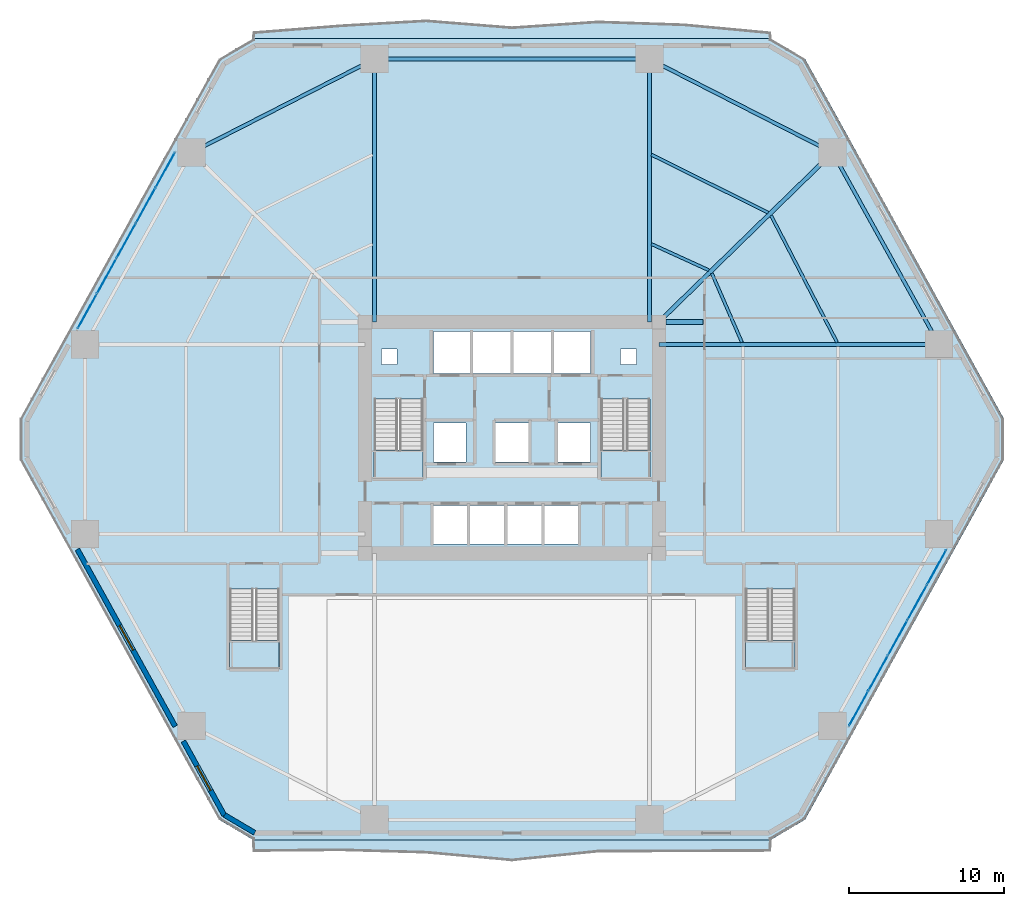
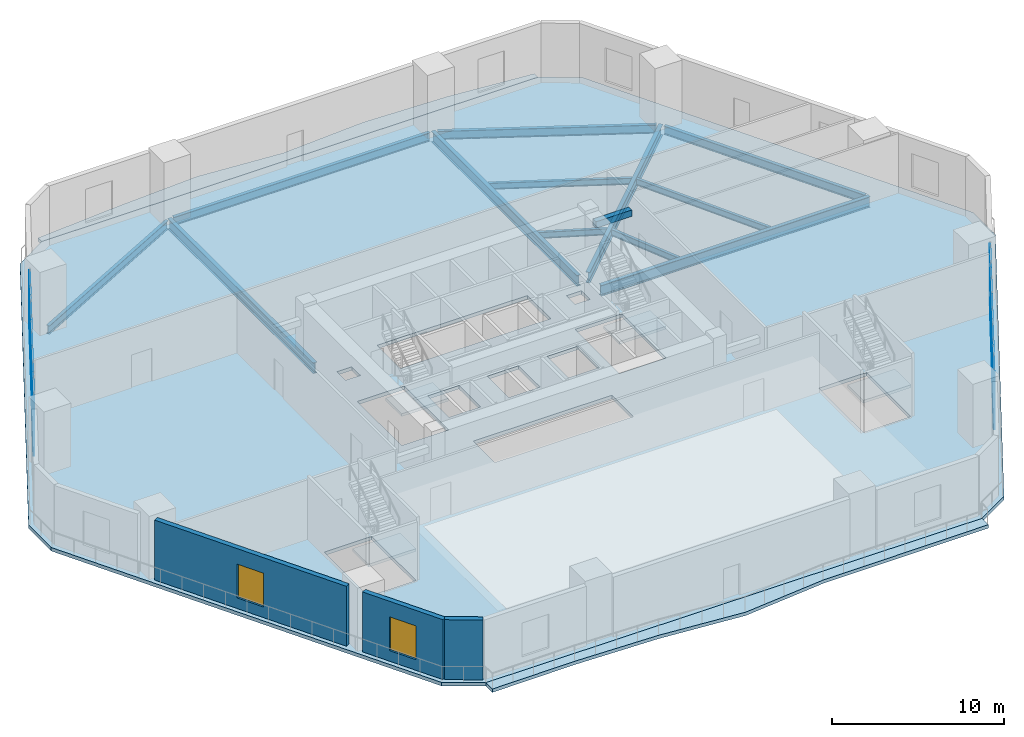
# One storey, part 8 of 18: 20 plates, 13 beams, 7 slabs, 3 walls, 2 windows, 2 openings, 6 elements without a shape of their own.
"""IFC4 building model written with IfcOpenShell, lengths in metres."""

from ifc_helpers import new_model, si_unit, direction, frame, frame_2d, origin, origin_2d, place, context, subcontext, project, spatial, polyline, rectangle, i_section, outline, extrude, material, layer, layer_set, material_profile, profile_set, type_object, element, fill, aggregate, save


model = new_model("IFC4")

# Units and contexts
model_context = context("Model", 3, precision=1e-05, world=origin(), true_north=direction((0.0, 1.0)))
body_context = subcontext(model_context, "Body", "Model", "MODEL_VIEW")
ifc_project = project(units=[si_unit("LENGTHUNIT", "METRE"), si_unit("AREAUNIT", "SQUARE_METRE"), si_unit("VOLUMEUNIT", "CUBIC_METRE"), si_unit("PLANEANGLEUNIT", "RADIAN"), si_unit("MASSUNIT", "GRAM", prefix="KILO")], contexts=[model_context])

# Site, building, storey
site_placement = place(None, origin())
site = spatial("IfcSite", under=ifc_project, at=site_placement, CompositionType="ELEMENT")
building_placement = place(site_placement, origin())
building = spatial("IfcBuilding", under=site, at=building_placement, Name="Cinnabar Lancet Tower", CompositionType="ELEMENT")
storey_placement = place(building_placement, frame((0.0, 0.0, 10.5)))
storey = spatial("IfcBuildingStorey", under=building, at=storey_placement, Name="L02", CompositionType="ELEMENT", Elevation=10.5)

# Beams
ifc_material_1 = material(Name="Structural steel S355", Category="steel")
ifc_material_profile_1 = material_profile(ifc_material_1, i_section(OverallWidth=0.1904296875, OverallDepth=0.45703125, WebThickness=0.009033203125, FlangeThickness=0.014404296875, FilletRadius=0.01025390625, at=origin_2d()), Name="UKB 457x191x74")
ifc_profile_set_1 = profile_set([ifc_material_profile_1], Name="Structural steel S355")
beam_type_1 = type_object("IfcBeamType", Name="STR-BM-JST-457", PredefinedType="JOIST", material=ifc_profile_set_1)
beam_1_placement = place(storey_placement, frame((53.326904296875, 32.041015625, -0.47900390625), z_axis=(-0.461626641841, 0.887074316809, 0.0), x_axis=(-0.887074316809, -0.461626641841, 0.0)))
element("IfcBeam", 1, at=beam_1_placement, inside=storey, type_object=beam_type_1, Name="L02 Secondary Floor Joist 3", PredefinedType="JOIST", context=body_context, shape_type="SweptSolid", body=[
    extrude(i_section(OverallWidth=0.1904296875, OverallDepth=0.45703125, WebThickness=0.009033203125, FlangeThickness=0.014404296875, FilletRadius=0.01025390625, at=origin_2d()), origin(), (0.0, 0.0, 1.0), 9.204345703125),
])
beam_2_placement = place(storey_placement, frame((47.2041015625, 32.041015625, -0.47900390625), z_axis=(-0.399496554125, 0.916734696214, 0.0), x_axis=(-0.916734696214, -0.399496554125, 0.0)))
element("IfcBeam", 2, at=beam_2_placement, inside=storey, type_object=beam_type_1, Name="L02 Secondary Floor Joist 4", PredefinedType="JOIST", context=body_context, shape_type="SweptSolid", body=[
    extrude(i_section(OverallWidth=0.1904296875, OverallDepth=0.45703125, WebThickness=0.009033203125, FlangeThickness=0.014404296875, FilletRadius=0.01025390625, at=origin_2d()), origin(), (0.0, 0.0, 1.0), 4.854248046875),
])
beam_3_placement = place(storey_placement, frame((48.886962890625, 40.39306640625, -0.47900390625), z_axis=(-0.895687488764, 0.444684070404, 0.0), x_axis=(-0.444684070404, -0.895687488764, 0.0)))
element("IfcBeam", 3, at=beam_3_placement, inside=storey, type_object=beam_type_1, Name="L02 Secondary Floor Joist 5", PredefinedType="JOIST", context=body_context, shape_type="SweptSolid", body=[
    extrude(i_section(OverallWidth=0.1904296875, OverallDepth=0.45703125, WebThickness=0.009033203125, FlangeThickness=0.014404296875, FilletRadius=0.01025390625, at=origin_2d()), origin(), (0.0, 0.0, 1.0), 8.383544921875),
])
beam_4_placement = place(storey_placement, frame((45.077880859375, 36.680908203125, -0.47900390625), z_axis=(-0.909792004986, 0.415064462057, 0.0), x_axis=(-0.415064462057, -0.909792004986, 0.0)))
element("IfcBeam", 4, at=beam_4_placement, inside=storey, type_object=beam_type_1, Name="L02 Secondary Floor Joist 6", PredefinedType="JOIST", context=body_context, shape_type="SweptSolid", body=[
    extrude(i_section(OverallWidth=0.1904296875, OverallDepth=0.45703125, WebThickness=0.009033203125, FlangeThickness=0.014404296875, FilletRadius=0.01025390625, at=origin_2d()), origin(), (0.0, 0.0, 1.0), 4.06689453125),
])
ifc_material_2 = material(Name="Concrete C45/55", Category="concrete")
ifc_material_profile_2 = material_profile(ifc_material_2, rectangle(XDim=0.35009765625, YDim=0.449951171875, at=origin_2d()), Name="RC-LNT 350x450")
ifc_profile_set_2 = profile_set([ifc_material_profile_2], Name="Concrete C45/55")
beam_type_2 = type_object("IfcBeamType", Name="STR-BM-LNT-450", PredefinedType="LINTEL", material=ifc_profile_set_2)
beam_5_placement = place(storey_placement, frame((42.300048828125, 33.35009765625, 3.050048828125), z_axis=(1.0, 0.0, 0.0), x_axis=(0.0, 1.0, 0.0)))
element("IfcBeam", 5, at=beam_5_placement, inside=storey, type_object=beam_type_2, Name="L02 Podium Gallery Arch Lintel NE", PredefinedType="LINTEL", context=body_context, shape_type="SweptSolid", body=[
    extrude(rectangle(XDim=0.35009765625, YDim=0.449951171875, at=origin_2d()), origin(), (0.0, 0.0, 1.0), 2.39990234375),
])
ifc_material_3 = material(Name="Structural steel S355", Category="steel")
ifc_material_profile_3 = material_profile(ifc_material_3, i_section(OverallWidth=0.228271484375, OverallDepth=0.607666015625, WebThickness=0.010986328125, FlangeThickness=0.017333984375, FilletRadius=0.0126953125, at=origin_2d()), Name="UKB 610x229x113")
ifc_profile_set_3 = profile_set([ifc_material_profile_3], Name="Structural steel S355")
beam_type_3 = type_object("IfcBeamType", Name="STR-BM-SPN-610", PredefinedType="SPANDREL", material=ifc_profile_set_3)
beam_6_placement = place(storey_placement, frame((59.77001953125, 32.126953125, -0.553955078125), z_axis=(-0.485037056876, 0.874493598294, 0.0), x_axis=(-0.874493598294, -0.485037056876, 0.0)))
element("IfcBeam", 6, at=beam_6_placement, inside=storey, type_object=beam_type_3, Name="L02 Perimeter Spandrel 5", PredefinedType="SPANDREL", context=body_context, shape_type="SweptSolid", body=[
    extrude(i_section(OverallWidth=0.228271484375, OverallDepth=0.607666015625, WebThickness=0.010986328125, FlangeThickness=0.017333984375, FilletRadius=0.0126953125, at=origin_2d()), origin(), (0.0, 0.0, 1.0), 13.619384765625),
])
beam_7_placement = place(storey_placement, frame((52.820068359375, 44.3701171875, -0.553955078125), z_axis=(-0.890540557794, 0.454903852396, 0.0), x_axis=(-0.454903852396, -0.890540557794, 0.0)))
element("IfcBeam", 7, at=beam_7_placement, inside=storey, type_object=beam_type_3, Name="L02 Perimeter Spandrel 6", PredefinedType="SPANDREL", context=body_context, shape_type="SweptSolid", body=[
    extrude(i_section(OverallWidth=0.228271484375, OverallDepth=0.607666015625, WebThickness=0.010986328125, FlangeThickness=0.017333984375, FilletRadius=0.0126953125, at=origin_2d()), origin(), (0.0, 0.0, 1.0), 12.747314453125),
])
beam_8_placement = place(storey_placement, frame((40.9951171875, 50.282958984375, -0.553955078125), z_axis=(-1.0, 0.0, 0.0), x_axis=(0.0, -1.0, 0.0)))
element("IfcBeam", 8, at=beam_8_placement, inside=storey, type_object=beam_type_3, Name="L02 Perimeter Spandrel 7", PredefinedType="SPANDREL", context=body_context, shape_type="SweptSolid", body=[
    extrude(i_section(OverallWidth=0.228271484375, OverallDepth=0.607666015625, WebThickness=0.010986328125, FlangeThickness=0.017333984375, FilletRadius=0.0126953125, at=origin_2d()), origin(), (0.0, 0.0, 1.0), 17.190185546875),
])
beam_9_placement = place(storey_placement, frame((23.33203125, 50.1689453125, -0.553955078125), z_axis=(-0.890540557794, -0.454903852396, 0.0), x_axis=(0.454903852396, -0.890540557794, 0.0)))
element("IfcBeam", 9, at=beam_9_placement, inside=storey, type_object=beam_type_3, Name="L02 Perimeter Spandrel 8", PredefinedType="SPANDREL", context=body_context, shape_type="SweptSolid", body=[
    extrude(i_section(OverallWidth=0.228271484375, OverallDepth=0.607666015625, WebThickness=0.010986328125, FlangeThickness=0.017333984375, FilletRadius=0.0126953125, at=origin_2d()), origin(), (0.0, 0.0, 1.0), 12.747314453125),
])
ifc_material_4 = material(Name="Structural steel S355", Category="steel")
ifc_material_profile_4 = material_profile(ifc_material_4, i_section(OverallWidth=0.2666015625, OverallDepth=0.76220703125, WebThickness=0.014404296875, FlangeThickness=0.021484375, FilletRadius=0.0166015625, at=origin_2d()), Name="UKB 762x267x173")
ifc_profile_set_4 = profile_set([ifc_material_profile_4], Name="Structural steel S355")
beam_type_4 = type_object("IfcBeamType", Name="STR-BM-UKB762-173", PredefinedType="BEAM", material=ifc_profile_set_4)
beam_10_placement = place(storey_placement, frame((53.04296875, 44.256103515625, -0.631103515625), z_axis=(-0.716225383515, -0.697869042163, 0.0), x_axis=(0.697869042163, -0.716225383515, 0.0)))
element("IfcBeam", 10, at=beam_10_placement, inside=storey, type_object=beam_type_4, Name="L02 Corner Collector Girder 3", PredefinedType="BEAM", context=body_context, shape_type="SweptSolid", body=[
    extrude(i_section(OverallWidth=0.2666015625, OverallDepth=0.76220703125, WebThickness=0.014404296875, FlangeThickness=0.021484375, FilletRadius=0.0166015625, at=origin_2d()), origin(), (0.0, 0.0, 1.0), 15.627685546875),
])
beam_11_placement = place(storey_placement, frame((59.89111328125, 31.907958984375, -0.631103515625), z_axis=(-1.0, 0.0, 0.0), x_axis=(0.0, -1.0, 0.0)))
element("IfcBeam", 11, at=beam_11_placement, inside=storey, type_object=beam_type_4, Name="L02 Primary Floor Girder 5", PredefinedType="BEAM", context=body_context, shape_type="SweptSolid", body=[
    extrude(i_section(OverallWidth=0.2666015625, OverallDepth=0.76220703125, WebThickness=0.014404296875, FlangeThickness=0.021484375, FilletRadius=0.0166015625, at=origin_2d()), origin(), (0.0, 0.0, 1.0), 18.041015625),
])
for number, where, z_axis, x_axis, name in (
    (12, (41.2451171875, 50.282958984375, -0.631103515625), (0.0, -1.0, 0.0), (1.0, 0.0, 0.0), "L02 Primary Floor Girder 7"),
    (13, (23.554931640625, 50.282958984375, -0.631103515625), (0.0, -1.0, 0.0), (1.0, 0.0, 0.0), "L02 Primary Floor Girder 8"),
):
    element("IfcBeam", number, at=place(storey_placement, frame(where, z_axis=z_axis, x_axis=x_axis)), inside=storey, type_object=beam_type_4, Name=name, PredefinedType="BEAM", context=body_context, shape_type="SweptSolid", body=[
        extrude(i_section(OverallWidth=0.2666015625, OverallDepth=0.76220703125, WebThickness=0.014404296875, FlangeThickness=0.021484375, FilletRadius=0.0166015625, at=origin_2d()), origin(), (0.0, 0.0, 1.0), 16.932861328125),
    ])

# Curtain wall, plates
ifc_material_5 = material(Name="Thermally broken bronze-anodized aluminium and low-E glass", Category="aluminium")
ifc_layer_1 = layer(ifc_material_5, 0.179931640625)
ifc_layer_set_1 = layer_set([ifc_layer_1], Name="Thermally broken bronze-anodized aluminium and low-E glass")
curtain_wall_type = type_object("IfcCurtainWallType", Name="ENV-CW-SYS-02", PredefinedType="NOTDEFINED", material=ifc_layer_set_1)
curtain_wall_1_placement = place(storey_placement, origin())
curtain_wall_1 = element("IfcCurtainWall", 14, at=curtain_wall_1_placement, inside=storey, type_object=curtain_wall_type, Name="L02 Face 2 Feature Curtain Wall", PredefinedType="NOTDEFINED")
ifc_material_6 = material(Name="Double-silver low-E laminated insulated glass unit", Category="glass")
ifc_layer_2 = layer(ifc_material_6, 0.031982421875)
ifc_layer_set_2 = layer_set([ifc_layer_2], Name="Double-silver low-E laminated insulated glass unit")
plate_type = type_object("IfcPlateType", Name="ENV-CW-PNL-32", PredefinedType="CURTAIN_PANEL", material=ifc_layer_set_2)
plate_1_placement = place(storey_placement, frame((54.72265625, 8.47216796875, 0.06005859375), z_axis=(0.0, 0.0, 1.0), x_axis=(0.48368456273, 0.875242391442, 0.0)))
plate_1 = element("IfcPlate", 15, at=plate_1_placement, type_object=plate_type, Name="CW-02 panel 1.1", PredefinedType="CURTAIN_PANEL", context=body_context, shape_type="SweptSolid", body=[
    extrude(rectangle(XDim=2.512939453125, YDim=0.028076171875, at=origin_2d()), origin(), (0.0, 0.0, 1.0), 2.1201171875),
])
plate_2_placement = place(storey_placement, frame((54.72265625, 8.47216796875, 2.240234375), z_axis=(0.0, 0.0, 1.0), x_axis=(0.48368456273, 0.875242391442, 0.0)))
plate_2 = element("IfcPlate", 16, at=plate_2_placement, type_object=plate_type, Name="CW-02 panel 1.2", PredefinedType="CURTAIN_PANEL", context=body_context, shape_type="SweptSolid", body=[
    extrude(rectangle(XDim=2.512939453125, YDim=0.028076171875, at=origin_2d()), origin(), (0.0, 0.0, 1.0), 1.949951171875),
])
plate_3_placement = place(storey_placement, frame((55.974609375, 10.7373046875, 0.06005859375), z_axis=(0.0, 0.0, 1.0), x_axis=(0.48368456273, 0.875242391442, 0.0)))
plate_3 = element("IfcPlate", 17, at=plate_3_placement, type_object=plate_type, Name="CW-02 panel 2.1", PredefinedType="CURTAIN_PANEL", context=body_context, shape_type="SweptSolid", body=[
    extrude(rectangle(XDim=2.54296875, YDim=0.028076171875, at=origin_2d()), origin(), (0.0, 0.0, 1.0), 2.1201171875),
])
plate_4_placement = place(storey_placement, frame((55.974609375, 10.7373046875, 2.240234375), z_axis=(0.0, 0.0, 1.0), x_axis=(0.48368456273, 0.875242391442, 0.0)))
plate_4 = element("IfcPlate", 18, at=plate_4_placement, type_object=plate_type, Name="CW-02 panel 2.2", PredefinedType="CURTAIN_PANEL", context=body_context, shape_type="SweptSolid", body=[
    extrude(rectangle(XDim=2.54296875, YDim=0.028076171875, at=origin_2d()), origin(), (0.0, 0.0, 1.0), 1.949951171875),
])
plate_5_placement = place(storey_placement, frame((57.2333984375, 13.015380859375, 0.06005859375), z_axis=(0.0, 0.0, 1.0), x_axis=(0.48368456273, 0.875242391442, 0.0)))
plate_5 = element("IfcPlate", 19, at=plate_5_placement, type_object=plate_type, Name="CW-02 panel 3.1", PredefinedType="CURTAIN_PANEL", context=body_context, shape_type="SweptSolid", body=[
    extrude(rectangle(XDim=2.54296875, YDim=0.028076171875, at=origin_2d()), origin(), (0.0, 0.0, 1.0), 2.1201171875),
])
plate_6_placement = place(storey_placement, frame((57.2333984375, 13.015380859375, 2.240234375), z_axis=(0.0, 0.0, 1.0), x_axis=(0.48368456273, 0.875242391442, 0.0)))
plate_6 = element("IfcPlate", 20, at=plate_6_placement, type_object=plate_type, Name="CW-02 panel 3.2", PredefinedType="CURTAIN_PANEL", context=body_context, shape_type="SweptSolid", body=[
    extrude(rectangle(XDim=2.54296875, YDim=0.028076171875, at=origin_2d()), origin(), (0.0, 0.0, 1.0), 1.949951171875),
])
plate_7_placement = place(storey_placement, frame((58.492431640625, 15.293701171875, 0.06005859375), z_axis=(0.0, 0.0, 1.0), x_axis=(0.48368456273, 0.875242391442, 0.0)))
plate_7 = element("IfcPlate", 21, at=plate_7_placement, type_object=plate_type, Name="CW-02 panel 4.1", PredefinedType="CURTAIN_PANEL", context=body_context, shape_type="SweptSolid", body=[
    extrude(rectangle(XDim=2.54296875, YDim=0.028076171875, at=origin_2d()), origin(), (0.0, 0.0, 1.0), 2.1201171875),
])
plate_8_placement = place(storey_placement, frame((58.492431640625, 15.293701171875, 2.240234375), z_axis=(0.0, 0.0, 1.0), x_axis=(0.48368456273, 0.875242391442, 0.0)))
plate_8 = element("IfcPlate", 22, at=plate_8_placement, type_object=plate_type, Name="CW-02 panel 4.2", PredefinedType="CURTAIN_PANEL", context=body_context, shape_type="SweptSolid", body=[
    extrude(rectangle(XDim=2.54296875, YDim=0.028076171875, at=origin_2d()), origin(), (0.0, 0.0, 1.0), 1.949951171875),
])
plate_9_placement = place(storey_placement, frame((59.744140625, 17.558837890625, 0.06005859375), z_axis=(0.0, 0.0, 1.0), x_axis=(0.48368456273, 0.875242391442, 0.0)))
plate_9 = element("IfcPlate", 23, at=plate_9_placement, type_object=plate_type, Name="CW-02 panel 5.1", PredefinedType="CURTAIN_PANEL", context=body_context, shape_type="SweptSolid", body=[
    extrude(rectangle(XDim=2.512939453125, YDim=0.028076171875, at=origin_2d()), origin(), (0.0, 0.0, 1.0), 2.1201171875),
])
plate_10_placement = place(storey_placement, frame((59.744140625, 17.558837890625, 2.240234375), z_axis=(0.0, 0.0, 1.0), x_axis=(0.48368456273, 0.875242391442, 0.0)))
plate_10 = element("IfcPlate", 24, at=plate_10_placement, type_object=plate_type, Name="CW-02 panel 5.2", PredefinedType="CURTAIN_PANEL", context=body_context, shape_type="SweptSolid", body=[
    extrude(rectangle(XDim=2.512939453125, YDim=0.028076171875, at=origin_2d()), origin(), (0.0, 0.0, 1.0), 1.949951171875),
])
aggregate(curtain_wall_1, [plate_1, plate_2, plate_3, plate_4, plate_5, plate_6, plate_7, plate_8, plate_9, plate_10])

curtain_wall_2_placement = place(storey_placement, origin())
curtain_wall_2 = element("IfcCurtainWall", 25, at=curtain_wall_2_placement, inside=storey, type_object=curtain_wall_type, Name="L02 Face 5 Feature Curtain Wall", PredefinedType="NOTDEFINED")
plate_11_placement = place(storey_placement, frame((10.0771484375, 43.127685546875, 0.06005859375), z_axis=(0.0, 0.0, 1.0), x_axis=(-0.48368456273, -0.875242391442, 0.0)))
plate_11 = element("IfcPlate", 26, at=plate_11_placement, type_object=plate_type, Name="CW-02 panel 1.1", PredefinedType="CURTAIN_PANEL", context=body_context, shape_type="SweptSolid", body=[
    extrude(rectangle(XDim=2.512939453125, YDim=0.028076171875, at=origin_2d()), origin(), (0.0, 0.0, 1.0), 2.1201171875),
])
plate_12_placement = place(storey_placement, frame((10.0771484375, 43.127685546875, 2.240234375), z_axis=(0.0, 0.0, 1.0), x_axis=(-0.48368456273, -0.875242391442, 0.0)))
plate_12 = element("IfcPlate", 27, at=plate_12_placement, type_object=plate_type, Name="CW-02 panel 1.2", PredefinedType="CURTAIN_PANEL", context=body_context, shape_type="SweptSolid", body=[
    extrude(rectangle(XDim=2.512939453125, YDim=0.028076171875, at=origin_2d()), origin(), (0.0, 0.0, 1.0), 1.949951171875),
])
plate_13_placement = place(storey_placement, frame((8.825439453125, 40.86279296875, 0.06005859375), z_axis=(0.0, 0.0, 1.0), x_axis=(-0.48368456273, -0.875242391442, 0.0)))
plate_13 = element("IfcPlate", 28, at=plate_13_placement, type_object=plate_type, Name="CW-02 panel 2.1", PredefinedType="CURTAIN_PANEL", context=body_context, shape_type="SweptSolid", body=[
    extrude(rectangle(XDim=2.54296875, YDim=0.028076171875, at=origin_2d()), origin(), (0.0, 0.0, 1.0), 2.1201171875),
])
plate_14_placement = place(storey_placement, frame((8.825439453125, 40.86279296875, 2.240234375), z_axis=(0.0, 0.0, 1.0), x_axis=(-0.48368456273, -0.875242391442, 0.0)))
plate_14 = element("IfcPlate", 29, at=plate_14_placement, type_object=plate_type, Name="CW-02 panel 2.2", PredefinedType="CURTAIN_PANEL", context=body_context, shape_type="SweptSolid", body=[
    extrude(rectangle(XDim=2.54296875, YDim=0.028076171875, at=origin_2d()), origin(), (0.0, 0.0, 1.0), 1.949951171875),
])
plate_15_placement = place(storey_placement, frame((7.56640625, 38.58447265625, 0.06005859375), z_axis=(0.0, 0.0, 1.0), x_axis=(-0.48368456273, -0.875242391442, 0.0)))
plate_15 = element("IfcPlate", 30, at=plate_15_placement, type_object=plate_type, Name="CW-02 panel 3.1", PredefinedType="CURTAIN_PANEL", context=body_context, shape_type="SweptSolid", body=[
    extrude(rectangle(XDim=2.54296875, YDim=0.028076171875, at=origin_2d()), origin(), (0.0, 0.0, 1.0), 2.1201171875),
])
plate_16_placement = place(storey_placement, frame((7.56640625, 38.58447265625, 2.240234375), z_axis=(0.0, 0.0, 1.0), x_axis=(-0.48368456273, -0.875242391442, 0.0)))
plate_16 = element("IfcPlate", 31, at=plate_16_placement, type_object=plate_type, Name="CW-02 panel 3.2", PredefinedType="CURTAIN_PANEL", context=body_context, shape_type="SweptSolid", body=[
    extrude(rectangle(XDim=2.54296875, YDim=0.028076171875, at=origin_2d()), origin(), (0.0, 0.0, 1.0), 1.949951171875),
])
plate_17_placement = place(storey_placement, frame((6.3076171875, 36.306396484375, 0.06005859375), z_axis=(0.0, 0.0, 1.0), x_axis=(-0.48368456273, -0.875242391442, 0.0)))
plate_17 = element("IfcPlate", 32, at=plate_17_placement, type_object=plate_type, Name="CW-02 panel 4.1", PredefinedType="CURTAIN_PANEL", context=body_context, shape_type="SweptSolid", body=[
    extrude(rectangle(XDim=2.54296875, YDim=0.028076171875, at=origin_2d()), origin(), (0.0, 0.0, 1.0), 2.1201171875),
])
plate_18_placement = place(storey_placement, frame((6.3076171875, 36.306396484375, 2.240234375), z_axis=(0.0, 0.0, 1.0), x_axis=(-0.48368456273, -0.875242391442, 0.0)))
plate_18 = element("IfcPlate", 33, at=plate_18_placement, type_object=plate_type, Name="CW-02 panel 4.2", PredefinedType="CURTAIN_PANEL", context=body_context, shape_type="SweptSolid", body=[
    extrude(rectangle(XDim=2.54296875, YDim=0.028076171875, at=origin_2d()), origin(), (0.0, 0.0, 1.0), 1.949951171875),
])
plate_19_placement = place(storey_placement, frame((5.0556640625, 34.041259765625, 0.06005859375), z_axis=(0.0, 0.0, 1.0), x_axis=(-0.48368456273, -0.875242391442, 0.0)))
plate_19 = element("IfcPlate", 34, at=plate_19_placement, type_object=plate_type, Name="CW-02 panel 5.1", PredefinedType="CURTAIN_PANEL", context=body_context, shape_type="SweptSolid", body=[
    extrude(rectangle(XDim=2.512939453125, YDim=0.028076171875, at=origin_2d()), origin(), (0.0, 0.0, 1.0), 2.1201171875),
])
plate_20_placement = place(storey_placement, frame((5.0556640625, 34.041259765625, 2.240234375), z_axis=(0.0, 0.0, 1.0), x_axis=(-0.48368456273, -0.875242391442, 0.0)))
plate_20 = element("IfcPlate", 35, at=plate_20_placement, type_object=plate_type, Name="CW-02 panel 5.2", PredefinedType="CURTAIN_PANEL", context=body_context, shape_type="SweptSolid", body=[
    extrude(rectangle(XDim=2.512939453125, YDim=0.028076171875, at=origin_2d()), origin(), (0.0, 0.0, 1.0), 1.949951171875),
])
aggregate(curtain_wall_2, [plate_11, plate_12, plate_13, plate_14, plate_15, plate_16, plate_17, plate_18, plate_19, plate_20])

# Stair, slab
ifc_material_7 = material(Name="Concrete C40/50", Category="concrete")
stair_type_1 = type_object("IfcStairType", Name="ST-CORE", PredefinedType="HALF_TURN_STAIR", material=ifc_material_7)
stair_1_placement = place(storey_placement, origin())
stair_1 = element("IfcStair", 36, at=stair_1_placement, inside=storey, type_object=stair_type_1, Name="L02 ST-1", PredefinedType="HALF_TURN_STAIR")
ifc_material_8 = material(Name="Concrete C40/50", Category="concrete")
ifc_layer_3 = layer(ifc_material_8, 0.199951171875)
ifc_layer_set_3 = layer_set([ifc_layer_3], Name="Concrete C40/50")
slab_type_1 = type_object("IfcSlabType", Name="LANDING-CORE", PredefinedType="LANDING", material=ifc_layer_set_3)
slab_1_placement = place(storey_placement, frame((0.0, 0.0, 2.050048828125)))
slab_1 = element("IfcSlab", 37, at=slab_1_placement, type_object=slab_type_1, Name="ST-1 landing 1", PredefinedType="LANDING", context=body_context, shape_type="SweptSolid", body=[
    extrude(outline(polyline([(23.52490234375, 25.10009765625), (23.52490234375, 23.25), (26.675048828125, 23.25), (26.675048828125, 25.10009765625), (23.52490234375, 25.10009765625)])), origin(), (0.0, 0.0, 1.0), 0.199951171875),
])
aggregate(stair_1, [slab_1])

stair_2_placement = place(storey_placement, origin())
stair_2 = element("IfcStair", 38, at=stair_2_placement, inside=storey, type_object=stair_type_1, Name="L02 ST-2", PredefinedType="HALF_TURN_STAIR")
slab_2_placement = place(storey_placement, frame((0.0, 0.0, 2.050048828125)))
slab_2 = element("IfcSlab", 39, at=slab_2_placement, type_object=slab_type_1, Name="ST-2 landing 1", PredefinedType="LANDING", context=body_context, shape_type="SweptSolid", body=[
    extrude(outline(polyline([(38.125, 25.10009765625), (38.125, 23.25), (41.27490234375, 23.25), (41.27490234375, 25.10009765625), (38.125, 25.10009765625)])), origin(), (0.0, 0.0, 1.0), 0.199951171875),
])
aggregate(stair_2, [slab_2])

ifc_material_9 = material(Name="Concrete C40/50", Category="concrete")
stair_type_2 = type_object("IfcStairType", Name="ST-POD", PredefinedType="HALF_TURN_STAIR", material=ifc_material_9)
stair_3_placement = place(storey_placement, origin())
stair_3 = element("IfcStair", 40, at=stair_3_placement, inside=storey, type_object=stair_type_2, Name="L02 ST-3", PredefinedType="HALF_TURN_STAIR")
ifc_material_10 = material(Name="Concrete C40/50", Category="concrete")
ifc_layer_4 = layer(ifc_material_10, 0.2099609375)
ifc_layer_set_4 = layer_set([ifc_layer_4], Name="Concrete C40/50")
slab_type_2 = type_object("IfcSlabType", Name="LANDING-POD", PredefinedType="LANDING", material=ifc_layer_set_4)
slab_3_placement = place(storey_placement, frame((0.0, 0.0, 2.050048828125)))
slab_3 = element("IfcSlab", 41, at=slab_3_placement, type_object=slab_type_2, Name="ST-3 landing 1", PredefinedType="LANDING", context=body_context, shape_type="SweptSolid", body=[
    extrude(outline(polyline([(14.22509765625, 12.85009765625), (14.22509765625, 11.0), (17.4150390625, 11.0), (17.4150390625, 12.85009765625), (14.22509765625, 12.85009765625)])), origin(), (0.0, 0.0, 1.0), 0.199951171875),
])
aggregate(stair_3, [slab_3])

stair_4_placement = place(storey_placement, origin())
stair_4 = element("IfcStair", 42, at=stair_4_placement, inside=storey, type_object=stair_type_2, Name="L02 ST-4", PredefinedType="HALF_TURN_STAIR")
slab_4_placement = place(storey_placement, frame((0.0, 0.0, 2.050048828125)))
slab_4 = element("IfcSlab", 43, at=slab_4_placement, type_object=slab_type_2, Name="ST-4 landing 1", PredefinedType="LANDING", context=body_context, shape_type="SweptSolid", body=[
    extrude(outline(polyline([(47.425048828125, 12.85009765625), (47.425048828125, 11.0), (50.614990234375, 11.0), (50.614990234375, 12.85009765625), (47.425048828125, 12.85009765625)])), origin(), (0.0, 0.0, 1.0), 0.199951171875),
])
aggregate(stair_4, [slab_4])

# Slabs
ifc_material_11 = material(Name="Concrete C40/50", Category="concrete")
ifc_layer_5 = layer(ifc_material_11, 0.25)
ifc_layer_set_5 = layer_set([ifc_layer_5], Name="Concrete C40/50")
slab_type_3 = type_object("IfcSlabType", Name="STR-SLB-FLR-250", PredefinedType="FLOOR", material=ifc_layer_set_5)
slab_5_placement = place(storey_placement, frame((0.0, 0.0, -0.25)))
element("IfcSlab", 44, at=slab_5_placement, inside=storey, type_object=slab_type_3, Name="L02 Structural Floor Slab", PredefinedType="FLOOR", context=body_context, shape_type="SweptSolid", body=[
    extrude(outline(polyline([(13.531005859375, 1.31298828125), (15.756103515625, 0.0), (49.0439453125, 0.0), (51.26904296875, 1.31298828125), (64.074951171875, 24.487060546875), (64.074951171875, 27.113037109375), (51.26904296875, 50.287109375), (49.0439453125, 51.60009765625), (15.756103515625, 51.60009765625), (13.531005859375, 50.287109375), (0.72509765625, 27.113037109375), (0.72509765625, 24.487060546875), (13.531005859375, 1.31298828125)]), holes=[polyline([(23.52490234375, 23.25), (26.675048828125, 23.25), (26.675048828125, 28.3994140625), (23.52490234375, 28.3994140625), (23.52490234375, 23.25)]), polyline([(38.125, 23.25), (41.27490234375, 23.25), (41.27490234375, 28.3994140625), (38.125, 28.3994140625), (38.125, 23.25)]), polyline([(14.22509765625, 11.0), (17.4150390625, 11.0), (17.4150390625, 16.1494140625), (14.22509765625, 16.1494140625), (14.22509765625, 11.0)]), polyline([(47.425048828125, 11.0), (50.614990234375, 11.0), (50.614990234375, 16.1494140625), (47.425048828125, 16.1494140625), (47.425048828125, 11.0)]), polyline([(27.35009765625, 30.050048828125), (37.449951171875, 30.050048828125), (37.449951171875, 32.75), (27.35009765625, 32.75), (27.35009765625, 30.050048828125)]), polyline([(27.35009765625, 19.050048828125), (36.64990234375, 19.050048828125), (36.64990234375, 21.550048828125), (27.35009765625, 21.550048828125), (27.35009765625, 19.050048828125)]), polyline([(27.35009765625, 24.35009765625), (29.449951171875, 24.35009765625), (29.449951171875, 26.85009765625), (27.35009765625, 26.85009765625), (27.35009765625, 24.35009765625)]), polyline([(35.35009765625, 24.35009765625), (37.449951171875, 24.35009765625), (37.449951171875, 26.85009765625), (35.35009765625, 26.85009765625), (35.35009765625, 24.35009765625)]), polyline([(31.35009765625, 24.35009765625), (33.449951171875, 24.35009765625), (33.449951171875, 26.85009765625), (31.35009765625, 26.85009765625), (31.35009765625, 24.35009765625)]), polyline([(24.0, 30.60009765625), (25.0, 30.60009765625), (25.0, 31.60009765625), (24.0, 31.60009765625), (24.0, 30.60009765625)]), polyline([(39.39990234375, 30.60009765625), (40.39990234375, 30.60009765625), (40.39990234375, 31.60009765625), (39.39990234375, 31.60009765625), (39.39990234375, 30.60009765625)])]), origin(), (0.0, 0.0, 1.0), 0.25),
])
ifc_material_12 = material(Name="Concrete C45/55", Category="concrete")
ifc_layer_6 = layer(ifc_material_12, 0.239990234375)
ifc_layer_set_6 = layer_set([ifc_layer_6], Name="Concrete C45/55")
slab_type_4 = type_object("IfcSlabType", Name="STR-SLB-WAV-240", PredefinedType="FLOOR", material=ifc_layer_set_6)
slab_6_placement = place(storey_placement, frame((0.0, 0.0, -0.239990234375)))
element("IfcSlab", 45, at=slab_6_placement, inside=storey, type_object=slab_type_4, Name="L02 Face 1 Undulating Wave Balcony Slab", PredefinedType="FLOOR", context=body_context, shape_type="SweptSolid", body=[
    extrude(outline(polyline([(15.756103515625, 0.0), (15.756103515625, -0.7509765625), (21.303955078125, -0.705078125), (26.85205078125, -0.865966796875), (32.39990234375, -1.364013671875), (37.947998046875, -0.7958984375), (43.49609375, -0.77099609375), (49.0439453125, -0.739013671875), (49.0439453125, 0.0), (15.756103515625, 0.0)])), origin(), (0.0, 0.0, 1.0), 0.239990234375),
])
slab_7_placement = place(storey_placement, frame((0.0, 0.0, -0.239990234375)))
element("IfcSlab", 46, at=slab_7_placement, inside=storey, type_object=slab_type_4, Name="L02 Face 4 Undulating Wave Balcony Slab", PredefinedType="FLOOR", context=body_context, shape_type="SweptSolid", body=[
    extrude(outline(polyline([(49.0439453125, 51.60009765625), (49.0439453125, 52.012939453125), (43.49609375, 52.535888671875), (37.947998046875, 52.72412109375), (32.39990234375, 52.35302734375), (26.85205078125, 52.7939453125), (21.303955078125, 52.469970703125), (15.756103515625, 52.02587890625), (15.756103515625, 51.60009765625), (49.0439453125, 51.60009765625)])), origin(), (0.0, 0.0, 1.0), 0.239990234375),
])

# Wall
ifc_material_13 = material(Name="Warm buff clay brick", Category="masonry")
ifc_layer_7 = layer(ifc_material_13, 0.320068359375)
ifc_layer_set_7 = layer_set([ifc_layer_7], Name="Warm buff clay brick")
wall_type = type_object("IfcWallType", Name="ENV-WL-BRK-BUF-320", PredefinedType="STANDARD", material=ifc_layer_set_7)
wall_1_placement = place(storey_placement, frame((13.89697265625, 1.60791015625, 0.0), z_axis=(0.0, 0.0, 1.0), x_axis=(0.861181020205, -0.508298387209, 0.0)))
element("IfcWall", 47, at=wall_1_placement, inside=storey, type_object=wall_type, Name="L02 Chamfered Corner Brick Pier 1.1", PredefinedType="STANDARD", context=body_context, shape_type="SweptSolid", body=[
    extrude(rectangle(XDim=2.252685546875, YDim=0.320068359375, at=frame_2d((1.12646484375, 0.0))), origin(), (0.0, 0.0, 1.0), 4.25),
])

# Wall, opening, window
wall_2_placement = place(storey_placement, frame((4.4189453125, 18.7109375, 0.0), z_axis=(0.0, 0.0, 1.0), x_axis=(0.483698591046, -0.875234638837, 0.0)))
wall_2 = element("IfcWall", 48, at=wall_2_placement, inside=storey, type_object=wall_type, Name="L02 Face 6 Masonry Bay Wall 2", PredefinedType="STANDARD", context=body_context, shape_type="SweptSolid", body=[
    extrude(rectangle(XDim=13.0146484375, YDim=0.320068359375, at=frame_2d((6.50732421875, 0.0))), origin(), (0.0, 0.0, 1.0), 4.25),
])
opening_1_placement = place(wall_2_placement, frame((5.60693359375, 0.0, 0.75)))
opening_1 = element("IfcOpeningElement", 49, at=opening_1_placement, cuts=wall_2, Name="Opening WN-05", PredefinedType="OPENING", context=body_context, shape_type="SweptSolid", body=[
    extrude(rectangle(XDim=1.800048828125, YDim=2.39990234375, at=frame_2d((0.89990234375, 1.199951171875))), frame((0.0, 0.169921875, 0.0), z_axis=(0.0, -1.0, 0.0), x_axis=(1.0, 0.0, 0.0)), (0.0, 0.0, 1.0), 0.340087890625),
])
ifc_material_14 = material(Name="Thermally broken bronze-anodized aluminium podium lancet window", Category="aluminium")
window_type = type_object("IfcWindowType", Name="ENV-WN-POD-1800", PartitioningType="SINGLE_PANEL", PredefinedType="WINDOW", material=ifc_material_14)
window_1_placement = place(opening_1_placement, origin())
window_1 = element("IfcWindow", 50, at=window_1_placement, inside=storey, type_object=window_type, Name="L02 Face 6 Gothic Lancet Window 2", OverallHeight=2.39990234375, OverallWidth=1.800048828125, PartitioningType="SINGLE_PANEL", PredefinedType="WINDOW", context=body_context, shape_type="SweptSolid", body=[
    extrude(rectangle(XDim=1.800048828125, YDim=2.39990234375, at=frame_2d((0.89990234375, 1.199951171875))), frame((0.0, 0.030029296875, 0.0), z_axis=(0.0, -1.0, 0.0), x_axis=(1.0, 0.0, 0.0)), (0.0, 0.0, 1.0), 0.06005859375),
])
fill(opening_1, window_1)

wall_3_placement = place(storey_placement, frame((11.242919921875, 6.363037109375, 0.0), z_axis=(0.0, 0.0, 1.0), x_axis=(0.483675274773, -0.875247524174, 0.0)))
wall_3 = element("IfcWall", 51, at=wall_3_placement, inside=storey, type_object=wall_type, Name="L02 Face 6 Masonry Bay Wall 3", PredefinedType="STANDARD", context=body_context, shape_type="SweptSolid", body=[
    extrude(rectangle(XDim=5.449951171875, YDim=0.320068359375, at=frame_2d((2.72509765625, 0.0))), origin(), (0.0, 0.0, 1.0), 4.25),
])
opening_2_placement = place(wall_3_placement, frame((1.824951171875, 0.0, 0.75)))
opening_2 = element("IfcOpeningElement", 52, at=opening_2_placement, cuts=wall_3, Name="Opening WN-05", PredefinedType="OPENING", context=body_context, shape_type="SweptSolid", body=[
    extrude(rectangle(XDim=1.800048828125, YDim=2.39990234375, at=frame_2d((0.89990234375, 1.199951171875))), frame((0.0, 0.169921875, 0.0), z_axis=(0.0, -1.0, 0.0), x_axis=(1.0, 0.0, 0.0)), (0.0, 0.0, 1.0), 0.340087890625),
])
window_2_placement = place(opening_2_placement, origin())
window_2 = element("IfcWindow", 53, at=window_2_placement, inside=storey, type_object=window_type, Name="L02 Face 6 Gothic Lancet Window 3", OverallHeight=2.39990234375, OverallWidth=1.800048828125, PartitioningType="SINGLE_PANEL", PredefinedType="WINDOW", context=body_context, shape_type="SweptSolid", body=[
    extrude(rectangle(XDim=1.800048828125, YDim=2.39990234375, at=frame_2d((0.89990234375, 1.199951171875))), frame((0.0, 0.030029296875, 0.0), z_axis=(0.0, -1.0, 0.0), x_axis=(1.0, 0.0, 0.0)), (0.0, 0.0, 1.0), 0.06005859375),
])
fill(opening_2, window_2)

save(model, "model.ifc")
